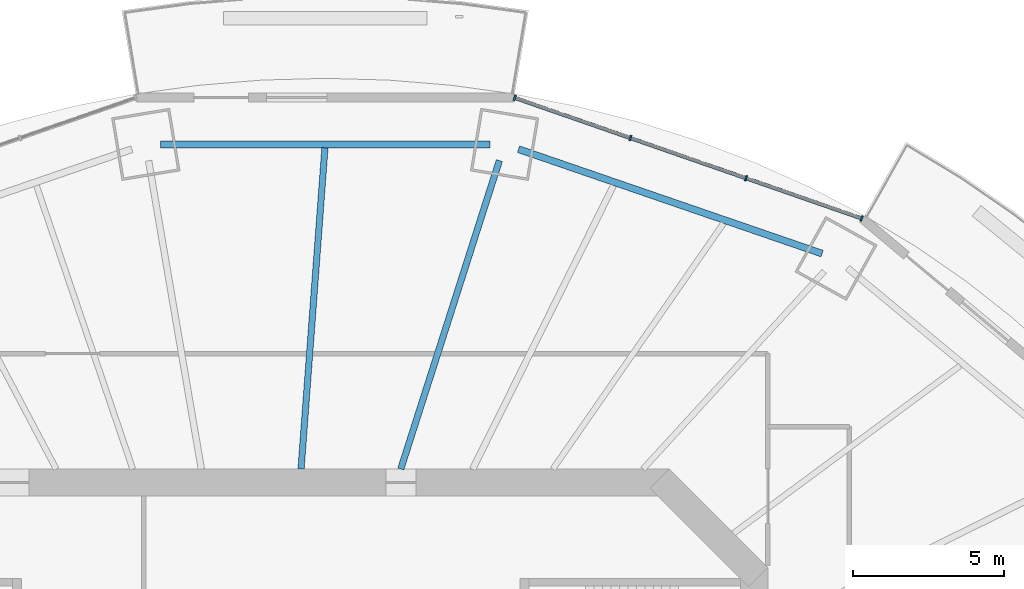
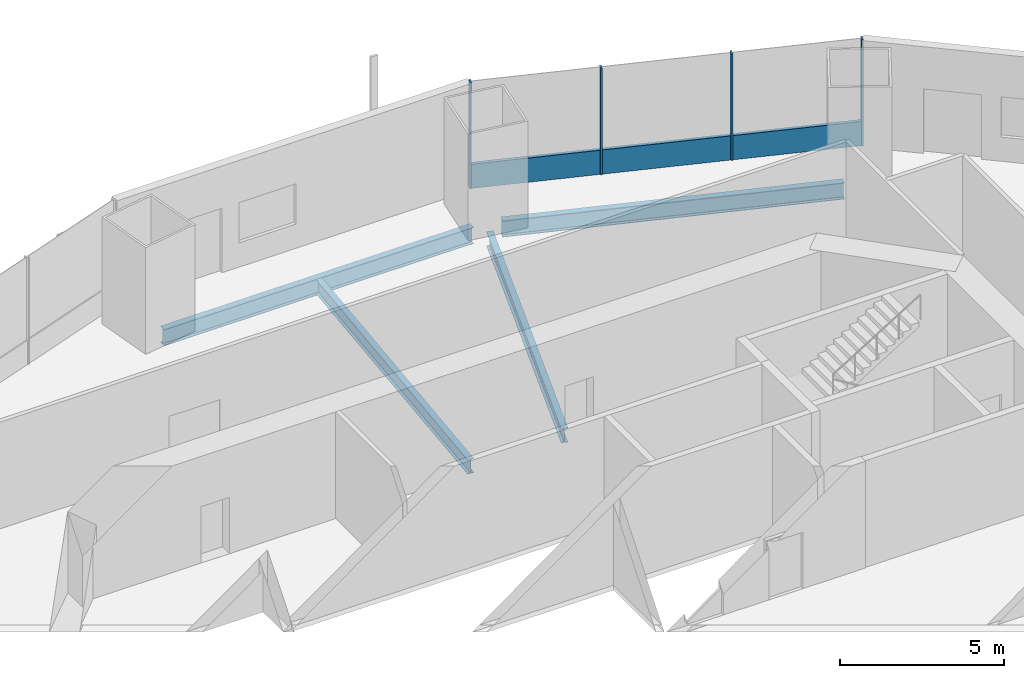
# One storey, part 8 of 20: 5 members, 4 beams, 1 element without a shape of its own.
"""IFC4 building model written with IfcOpenShell, lengths in metres."""

from ifc_helpers import new_model, si_unit, direction, frame, origin, origin_2d, place, context, subcontext, project, spatial, rectangle, i_section, extrude, material, material_profile, profile_set, type_object, element, aggregate, save


model = new_model("IFC4")

# Units and contexts
model_context = context("Model", 3, precision=1e-05, world=origin(), true_north=direction((0.0, 1.0)))
body_context = subcontext(model_context, "Body", "Model", "MODEL_VIEW")
ifc_project = project(units=[si_unit("LENGTHUNIT", "METRE"), si_unit("AREAUNIT", "SQUARE_METRE"), si_unit("VOLUMEUNIT", "CUBIC_METRE"), si_unit("PLANEANGLEUNIT", "RADIAN"), si_unit("MASSUNIT", "GRAM", prefix="KILO")], contexts=[model_context])

# Site, building, storey
site_placement = place(None, origin())
site = spatial("IfcSite", under=ifc_project, at=site_placement, CompositionType="ELEMENT")
building_placement = place(site_placement, origin())
building = spatial("IfcBuilding", under=site, at=building_placement, Name="Marenthal Gate Tower", CompositionType="ELEMENT")
storey_placement = place(building_placement, frame((0.0, 0.0, 194.25)))
storey = spatial("IfcBuildingStorey", under=building, at=storey_placement, Name="L42", CompositionType="ELEMENT", Elevation=194.25)

# Curtain wall, members
ifc_material_1 = material(Name="Aluminium and glass", Category="aluminium")
curtain_wall_type = type_object("IfcCurtainWallType", Name="Curtain wall typical mid", PredefinedType="NOTDEFINED", material=ifc_material_1)
curtain_wall_placement = place(storey_placement, origin())
curtain_wall = element("IfcCurtainWall", 1, at=curtain_wall_placement, inside=storey, type_object=curtain_wall_type, Name="Curtain wall L42 bay 3", PredefinedType="NOTDEFINED")
ifc_material_2 = material(Name="Aluminium", Category="aluminium")
ifc_material_profile_1 = material_profile(ifc_material_2, rectangle(XDim=0.179931640625, YDim=0.06005859375, at=origin_2d()), Name="60x180 aluminium mullion")
ifc_profile_set_1 = profile_set([ifc_material_profile_1], Name="Aluminium")
member_type_1 = type_object("IfcMemberType", Name="Mullion 60x180 typical mid", PredefinedType="MULLION", material=ifc_profile_set_1)
member_1_placement = place(storey_placement, frame((19.558349609375, 21.743896484375, 0.0), z_axis=(0.0, 0.0, 1.0), x_axis=(-0.328273001535, -0.944582890203, 0.0)))
member_1 = element("IfcMember", 2, at=member_1_placement, type_object=member_type_1, Name="Mullion L42 bay 3.1", PredefinedType="MULLION", context=body_context, shape_type="SweptSolid", body=[
    extrude(rectangle(XDim=0.179931640625, YDim=0.06005859375, at=origin_2d()), origin(), (0.0, 0.0, 1.0), 3.969970703125),
])
member_2_placement = place(storey_placement, frame((15.730224609375, 23.07421875, 0.0), z_axis=(0.0, 0.0, 1.0), x_axis=(-0.328273001535, -0.944582890203, 0.0)))
member_2 = element("IfcMember", 3, at=member_2_placement, type_object=member_type_1, Name="Mullion L42 bay 3.2", PredefinedType="MULLION", context=body_context, shape_type="SweptSolid", body=[
    extrude(rectangle(XDim=0.179931640625, YDim=0.06005859375, at=origin_2d()), origin(), (0.0, 0.0, 1.0), 3.969970703125),
])
member_3_placement = place(storey_placement, frame((11.902099609375, 24.40478515625, 0.0), z_axis=(0.0, 0.0, 1.0), x_axis=(-0.328273001535, -0.944582890203, 0.0)))
member_3 = element("IfcMember", 4, at=member_3_placement, type_object=member_type_1, Name="Mullion L42 bay 3.3", PredefinedType="MULLION", context=body_context, shape_type="SweptSolid", body=[
    extrude(rectangle(XDim=0.179931640625, YDim=0.06005859375, at=origin_2d()), origin(), (0.0, 0.0, 1.0), 3.969970703125),
])
member_4_placement = place(storey_placement, frame((8.07421875, 25.735107421875, 0.0), z_axis=(0.0, 0.0, 1.0), x_axis=(-0.328273001535, -0.944582890203, 0.0)))
member_4 = element("IfcMember", 5, at=member_4_placement, type_object=member_type_1, Name="Mullion L42 bay 3.4", PredefinedType="MULLION", context=body_context, shape_type="SweptSolid", body=[
    extrude(rectangle(XDim=0.179931640625, YDim=0.06005859375, at=origin_2d()), origin(), (0.0, 0.0, 1.0), 3.969970703125),
])
ifc_material_3 = material(Name="Aluminium", Category="aluminium")
ifc_material_profile_2 = material_profile(ifc_material_3, rectangle(XDim=0.1201171875, YDim=0.89990234375, at=origin_2d()), Name="120x900 aluminium transom")
ifc_profile_set_2 = profile_set([ifc_material_profile_2], Name="Aluminium")
member_type_2 = type_object("IfcMemberType", Name="Transom 120x900 typical mid", PredefinedType="USERDEFINED", material=ifc_profile_set_2)
member_5_placement = place(storey_placement, frame((19.530029296875, 21.75390625, 0.449951171875), z_axis=(-0.944588780023, 0.328256053493, 0.0), x_axis=(-0.328256053493, -0.944588780023, 0.0)))
member_5 = element("IfcMember", 6, at=member_5_placement, type_object=member_type_2, Name="Transom L42 bay 3", ObjectType="TRANSOM", PredefinedType="USERDEFINED", context=body_context, shape_type="SweptSolid", body=[
    extrude(rectangle(XDim=0.1201171875, YDim=0.89990234375, at=origin_2d()), origin(), (0.0, 0.0, 1.0), 12.097900390625),
])
aggregate(curtain_wall, [member_1, member_2, member_3, member_4, member_5])

# Beams
ifc_material_4 = material(Name="Steel S355", Category="steel")
ifc_material_profile_3 = material_profile(ifc_material_4, i_section(OverallWidth=0.2099609375, OverallDepth=0.535888671875, WebThickness=0.010986328125, FlangeThickness=0.017333984375, FilletRadius=0.0126953125, at=origin_2d()), Name="W530X101")
ifc_profile_set_3 = profile_set([ifc_material_profile_3], Name="Steel S355")
beam_type_1 = type_object("IfcBeamType", Name="W530X101 beam", PredefinedType="BEAM", material=ifc_profile_set_3)
beam_1_placement = place(storey_placement, frame((1.79150390625, 24.080810546875, -0.447998046875), z_axis=(-0.074202369595, -0.997243204212, 0.0), x_axis=(0.997243204212, -0.074202369595, 0.0)))
element("IfcBeam", 7, at=beam_1_placement, inside=storey, type_object=beam_type_1, Name="BM-L42-22", PredefinedType="BEAM", context=body_context, shape_type="SweptSolid", body=[
    extrude(i_section(OverallWidth=0.2099609375, OverallDepth=0.535888671875, WebThickness=0.010986328125, FlangeThickness=0.017333984375, FilletRadius=0.0126953125, at=origin_2d()), origin(), (0.0, 0.0, 1.0), 10.66015625),
])
ifc_material_5 = material(Name="Steel S355", Category="steel")
ifc_material_profile_4 = material_profile(ifc_material_5, i_section(OverallWidth=0.2119140625, OverallDepth=0.5439453125, WebThickness=0.01318359375, FlangeThickness=0.021240234375, FilletRadius=0.0126953125, at=origin_2d()), Name="W530X123")
ifc_profile_set_4 = profile_set([ifc_material_profile_4], Name="Steel S355")
beam_type_2 = type_object("IfcBeamType", Name="W530X123 beam", PredefinedType="BEAM", material=ifc_profile_set_4)
beam_2_placement = place(storey_placement, frame((7.566650390625, 23.66064453125, -0.451904296875), z_axis=(-0.304603016071, -0.952479397468, 0.0), x_axis=(0.952479397468, -0.304603016071, 0.0)))
element("IfcBeam", 8, at=beam_2_placement, inside=storey, type_object=beam_type_2, Name="BM-L42-04", PredefinedType="BEAM", context=body_context, shape_type="SweptSolid", body=[
    extrude(i_section(OverallWidth=0.2119140625, OverallDepth=0.5439453125, WebThickness=0.01318359375, FlangeThickness=0.021240234375, FilletRadius=0.0126953125, at=origin_2d()), origin(), (0.0, 0.0, 1.0), 10.72021484375),
])
ifc_material_6 = material(Name="Steel S355", Category="steel")
ifc_material_profile_5 = material_profile(ifc_material_6, i_section(OverallWidth=0.22900390625, OverallDepth=0.612060546875, WebThickness=0.011962890625, FlangeThickness=0.01953125, FilletRadius=0.0126953125, at=origin_2d()), Name="W610X125")
ifc_profile_set_5 = profile_set([ifc_material_profile_5], Name="Steel S355")
beam_type_3 = type_object("IfcBeamType", Name="W610X125 beam", PredefinedType="BEAM", material=ifc_profile_set_5)
beam_3_placement = place(storey_placement, frame((18.245361328125, 20.579833984375, -0.486083984375), z_axis=(-0.945594274162, 0.325348226785, 0.0), x_axis=(-0.325348226785, -0.945594274162, 0.0)))
element("IfcBeam", 9, at=beam_3_placement, inside=storey, type_object=beam_type_3, Name="BM-L42-43", PredefinedType="BEAM", context=body_context, shape_type="SweptSolid", body=[
    extrude(i_section(OverallWidth=0.22900390625, OverallDepth=0.612060546875, WebThickness=0.011962890625, FlangeThickness=0.01953125, FilletRadius=0.0126953125, at=origin_2d()), origin(), (0.0, 0.0, 1.0), 10.623291015625),
])
beam_4_placement = place(storey_placement, frame((7.24951171875, 24.1953125, -0.486083984375), z_axis=(-1.0, 0.0, 0.0), x_axis=(0.0, -1.0, 0.0)))
element("IfcBeam", 10, at=beam_4_placement, inside=storey, type_object=beam_type_3, Name="BM-L42-44", PredefinedType="BEAM", context=body_context, shape_type="SweptSolid", body=[
    extrude(i_section(OverallWidth=0.22900390625, OverallDepth=0.612060546875, WebThickness=0.011962890625, FlangeThickness=0.01953125, FilletRadius=0.0126953125, at=origin_2d()), origin(), (0.0, 0.0, 1.0), 10.89892578125),
])

save(model, "model.ifc")
